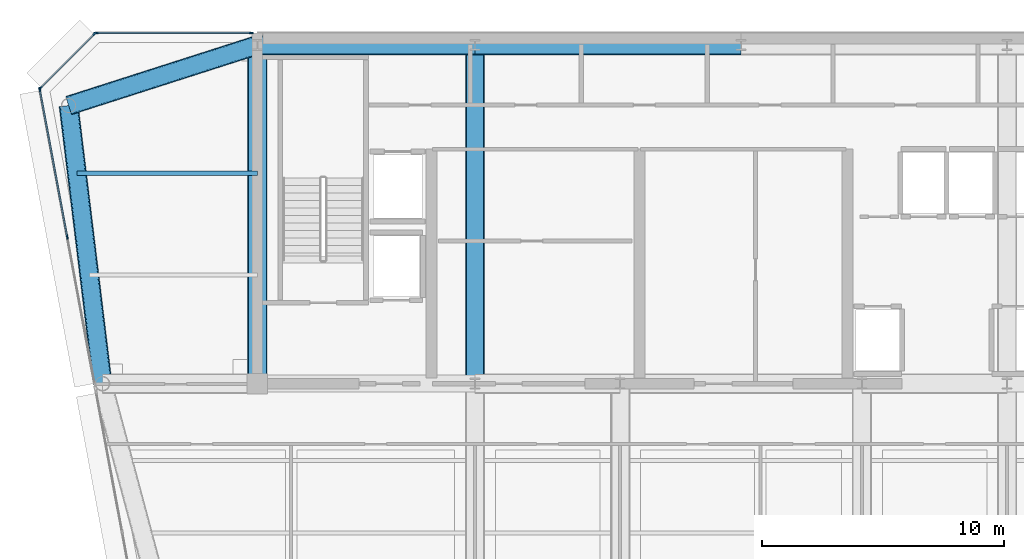
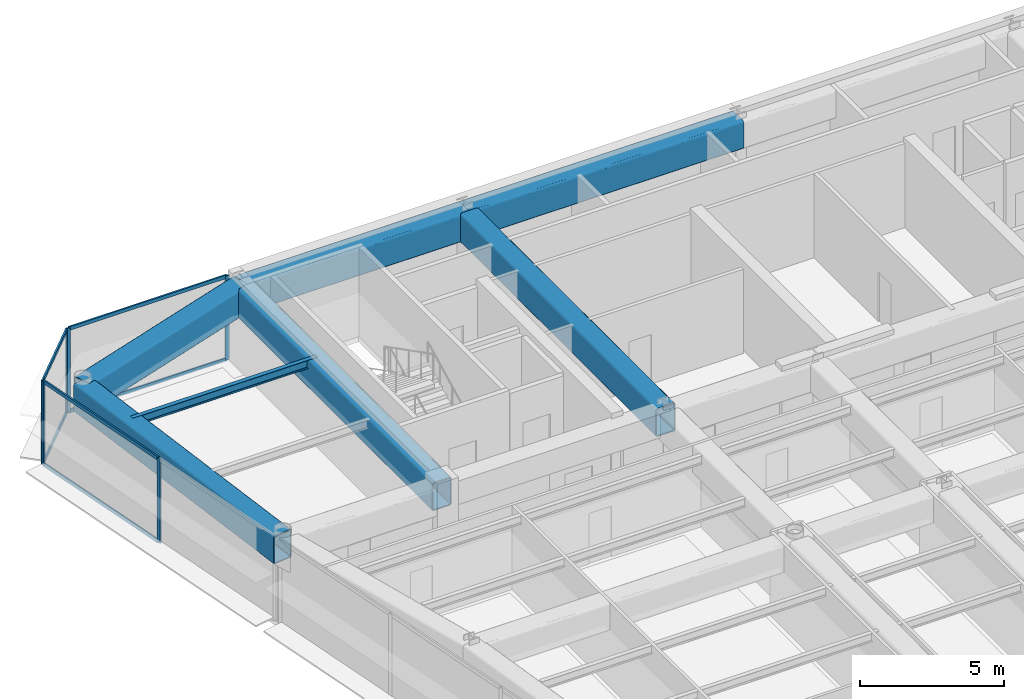
# One storey, part 7 of 18: 12 members, 7 beams, 3 elements without a shape of their own.
"""IFC4 building model written with IfcOpenShell, lengths in metres."""

from ifc_helpers import new_model, si_unit, direction, frame, origin, origin_2d, place, context, subcontext, project, spatial, rectangle, hollow_rectangle, i_section, extrude, source, transform, mapped, material, layer, layer_set, material_profile, profile_set, type_object, element, aggregate, save


model = new_model("IFC4")

# Units and contexts
model_context = context("Model", 3, precision=1e-05, world=origin(), true_north=direction((0.0, 1.0)))
body_context = subcontext(model_context, "Body", "Model", "MODEL_VIEW")
ifc_project = project(units=[si_unit("LENGTHUNIT", "METRE"), si_unit("AREAUNIT", "SQUARE_METRE"), si_unit("VOLUMEUNIT", "CUBIC_METRE"), si_unit("PLANEANGLEUNIT", "RADIAN"), si_unit("MASSUNIT", "GRAM", prefix="KILO")], contexts=[model_context])

# Site, building, storey
site_placement = place(None, origin())
site = spatial("IfcSite", under=ifc_project, at=site_placement, CompositionType="ELEMENT")
building_placement = place(site_placement, origin())
building = spatial("IfcBuilding", under=site, at=building_placement, Name="Vaeldorn Concourse Tower", CompositionType="ELEMENT")
storey_placement = place(building_placement, frame((0.0, 0.0, 265.0)))
storey = spatial("IfcBuildingStorey", under=building, at=storey_placement, Name="L68", CompositionType="ELEMENT", Elevation=265.0)

# Beams
ifc_material_1 = material(Name="Steel S460", Category="steel")
ifc_material_profile_1 = material_profile(ifc_material_1, hollow_rectangle(XDim=0.800048828125, YDim=1.199951171875, WallThickness=0.044921875, InnerFilletRadius=0.044921875, OuterFilletRadius=0.090087890625, at=origin_2d()), Name="RHS 1200x800x45")
ifc_profile_set_1 = profile_set([ifc_material_profile_1], Name="Steel S460")
beam_type_1 = type_object("IfcBeamType", Name="BM-TG-RHS1200", PredefinedType="BEAM", material=ifc_profile_set_1)
shared_shape_1 = source(origin(), body_context, "Body", "SweptSolid", [
    extrude(hollow_rectangle(XDim=0.800048828125, YDim=1.199951171875, WallThickness=0.044921875, InnerFilletRadius=0.044921875, OuterFilletRadius=0.090087890625, at=origin_2d()), origin(), (0.0, 0.0, 1.0), 9.0),
])
beam_1_placement = place(storey_placement, frame((14.0, 50.5, 2.97998046875), z_axis=(1.0, 0.0, 0.0), x_axis=(0.0, 1.0, 0.0)))
element("IfcBeam", 1, at=beam_1_placement, inside=storey, type_object=beam_type_1, Name="Beam BM-L68-C-HC1-C-HC2", PredefinedType="BEAM", context=body_context, shape_type="MappedRepresentation", body=[
    mapped(shared_shape_1, transform((0.0, 0.0, 0.0), scale=1.0)),
])
shared_shape_2 = source(origin(), body_context, "Body", "SweptSolid", [
    extrude(hollow_rectangle(XDim=0.800048828125, YDim=1.199951171875, WallThickness=0.044921875, InnerFilletRadius=0.044921875, OuterFilletRadius=0.090087890625, at=origin_2d()), origin(), (0.0, 0.0, 1.0), 11.0),
])
beam_2_placement = place(storey_placement, frame((23.0, 50.5, 2.97998046875), z_axis=(1.0, 0.0, 0.0), x_axis=(0.0, 1.0, 0.0)))
element("IfcBeam", 2, at=beam_2_placement, inside=storey, type_object=beam_type_1, Name="Beam BM-L68-C-HC2-C-HC3", PredefinedType="BEAM", context=body_context, shape_type="MappedRepresentation", body=[
    mapped(shared_shape_2, transform((0.0, 0.0, 0.0), scale=1.0)),
])
shared_shape_3 = source(origin(), body_context, "Body", "SweptSolid", [
    extrude(hollow_rectangle(XDim=0.800048828125, YDim=1.199951171875, WallThickness=0.044921875, InnerFilletRadius=0.044921875, OuterFilletRadius=0.090087890625, at=origin_2d()), origin(), (0.0, 0.0, 1.0), 14.0),
])
for number, where, z_axis, x_axis, name in (
    (3, (14.0, 36.5, 2.97998046875), (0.0, 1.0, 0.0), (-1.0, 0.0, 0.0), "Beam BM-L68-C-FC1-C-HC1"),
    (4, (23.0, 36.5, 2.97998046875), (0.0, 1.0, 0.0), (-1.0, 0.0, 0.0), "Beam BM-L68-C-FC2-C-HC2"),
):
    element("IfcBeam", number, at=place(storey_placement, frame(where, z_axis=z_axis, x_axis=x_axis)), inside=storey, type_object=beam_type_1, Name=name, PredefinedType="BEAM", context=body_context, shape_type="MappedRepresentation", body=[
        mapped(shared_shape_3, transform((0.0, 0.0, 0.0), scale=1.0)),
    ])
shared_shape_4 = source(origin(), body_context, "Body", "SweptSolid", [
    extrude(hollow_rectangle(XDim=0.800048828125, YDim=1.199951171875, WallThickness=0.044921875, InnerFilletRadius=0.044921875, OuterFilletRadius=0.090087890625, at=origin_2d()), origin(), (0.0, 0.0, 1.0), 8.19091796875),
])
beam_3_placement = place(storey_placement, frame((6.199951171875, 48.0, 2.97998046875), z_axis=(0.952282843383, 0.305216949396, 0.0), x_axis=(-0.305216949396, 0.952282843383, 0.0)))
element("IfcBeam", 5, at=beam_3_placement, inside=storey, type_object=beam_type_1, Name="Beam BM-L68-C-NW1-C-HC1", PredefinedType="BEAM", context=body_context, shape_type="MappedRepresentation", body=[
    mapped(shared_shape_4, transform((0.0, 0.0, 0.0), scale=1.0)),
])
shared_shape_5 = source(origin(), body_context, "Body", "SweptSolid", [
    extrude(hollow_rectangle(XDim=0.800048828125, YDim=1.199951171875, WallThickness=0.044921875, InnerFilletRadius=0.044921875, OuterFilletRadius=0.090087890625, at=origin_2d()), origin(), (0.0, 0.0, 1.0), 11.5849609375),
])
beam_4_placement = place(storey_placement, frame((6.199951171875, 48.0, 2.97998046875), z_axis=(0.120859382899, -0.992669637677, 0.0), x_axis=(0.992669637677, 0.120859382899, 0.0)))
element("IfcBeam", 6, at=beam_4_placement, inside=storey, type_object=beam_type_1, Name="Beam BM-L68-C-NW1-C-NW2", PredefinedType="BEAM", context=body_context, shape_type="MappedRepresentation", body=[
    mapped(shared_shape_5, transform((0.0, 0.0, 0.0), scale=1.0)),
])
ifc_material_2 = material(Name="Steel S355", Category="steel")
ifc_material_profile_2 = material_profile(ifc_material_2, i_section(OverallWidth=0.169921875, OverallDepth=0.360107421875, WebThickness=0.008056640625, FlangeThickness=0.0126953125, FilletRadius=0.01806640625, at=origin_2d()), Name="IPE 360")
ifc_profile_set_2 = profile_set([ifc_material_profile_2], Name="Steel S355")
beam_type_2 = type_object("IfcBeamType", Name="BM-JS-IPE360", PredefinedType="JOIST", material=ifc_profile_set_2)
shared_shape_6 = source(origin(), body_context, "Body", "SweptSolid", [
    extrude(i_section(OverallWidth=0.169921875, OverallDepth=0.360107421875, WebThickness=0.008056640625, FlangeThickness=0.0126953125, FilletRadius=0.01806640625, at=origin_2d()), origin(), (0.0, 0.0, 1.0), 7.458984375),
])
beam_5_placement = place(storey_placement, frame((6.541015625, 45.199951171875, 3.39990234375), z_axis=(1.0, 0.0, 0.0), x_axis=(0.0, 1.0, 0.0)))
element("IfcBeam", 7, at=beam_5_placement, inside=storey, type_object=beam_type_2, Name="Beam JS-L68-NW-452", PredefinedType="JOIST", context=body_context, shape_type="MappedRepresentation", body=[
    mapped(shared_shape_6, transform((0.0, 0.0, 0.0), scale=1.0)),
])

# Curtain wall, members
ifc_material_3 = material(Name="Anodised Bronze Aluminium", Category="aluminium")
ifc_layer = layer(ifc_material_3, 0.179931640625)
ifc_layer_set = layer_set([ifc_layer], Name="Anodised Bronze Aluminium")
curtain_wall_type = type_object("IfcCurtainWallType", Name="CW-SYS-05", PredefinedType="NOTDEFINED", material=ifc_layer_set)
curtain_wall_1_placement = place(storey_placement, origin())
curtain_wall_1 = element("IfcCurtainWall", 8, at=curtain_wall_1_placement, inside=storey, type_object=curtain_wall_type, Name="Unitised Curtain Wall CW-L68-E10-1", PredefinedType="NOTDEFINED")
ifc_material_profile_3 = material_profile(ifc_material_3, rectangle(XDim=0.06494140625, YDim=0.14990234375, at=origin_2d()), Name="CWT 65x150")
ifc_profile_set_3 = profile_set([ifc_material_profile_3], Name="Anodised Bronze Aluminium")
member_type_1 = type_object("IfcMemberType", Name="CWT-BRONZE-150", PredefinedType="USERDEFINED", material=ifc_profile_set_3)
shared_shape_7 = source(origin(), body_context, "Body", "SweptSolid", [
    extrude(rectangle(XDim=0.06494140625, YDim=0.14990234375, at=origin_2d()), origin(), (0.0, 0.0, 1.0), 3.123046875),
])
member_1_placement = place(storey_placement, frame((7.254150390625, 50.9541015625, 0.032470703125), z_axis=(-0.707106781187, -0.707106781187, 0.0), x_axis=(0.707106781187, -0.707106781187, 0.0)))
member_1 = element("IfcMember", 9, at=member_1_placement, type_object=member_type_1, Name="CW-05 transom 1.1", ObjectType="TRANSOM", PredefinedType="USERDEFINED", context=body_context, shape_type="MappedRepresentation", body=[
    mapped(shared_shape_7, transform((0.0, 0.0, 0.0), scale=1.0)),
])
member_2_placement = place(storey_placement, frame((7.254150390625, 50.9541015625, 3.547607421875), z_axis=(-0.707106781187, -0.707106781187, 0.0), x_axis=(0.707106781187, -0.707106781187, 0.0)))
member_2 = element("IfcMember", 10, at=member_2_placement, type_object=member_type_1, Name="CW-05 transom 1.2", ObjectType="TRANSOM", PredefinedType="USERDEFINED", context=body_context, shape_type="MappedRepresentation", body=[
    mapped(shared_shape_7, transform((0.0, 0.0, 0.0), scale=1.0)),
])

curtain_wall_2_placement = place(storey_placement, origin())
curtain_wall_2 = element("IfcCurtainWall", 11, at=curtain_wall_2_placement, inside=storey, type_object=curtain_wall_type, Name="Unitised Curtain Wall CW-L68-E09-2", PredefinedType="NOTDEFINED")
ifc_material_profile_4 = material_profile(ifc_material_3, rectangle(XDim=0.06494140625, YDim=0.169921875, at=origin_2d()), Name="CWM 65x170")
ifc_profile_set_4 = profile_set([ifc_material_profile_4], Name="Anodised Bronze Aluminium")
member_type_2 = type_object("IfcMemberType", Name="CWM-BRONZE-170", PredefinedType="MULLION", material=ifc_profile_set_4)
shared_shape_8 = source(origin(), body_context, "Body", "SweptSolid", [
    extrude(rectangle(XDim=0.06494140625, YDim=0.169921875, at=origin_2d()), origin(), (0.0, 0.0, 1.0), 3.580078125),
])
member_3_placement = place(storey_placement, frame((13.74755859375, 51.0, 0.0), z_axis=(0.0, 0.0, 1.0), x_axis=(0.0, -1.0, 0.0)))
member_3 = element("IfcMember", 12, at=member_3_placement, type_object=member_type_2, Name="CW-05 mullion 1", PredefinedType="MULLION", context=body_context, shape_type="MappedRepresentation", body=[
    mapped(shared_shape_8, transform((0.0, 0.0, 0.0), scale=1.0)),
])
member_4_placement = place(storey_placement, frame((7.33251953125, 51.0, 0.0), z_axis=(0.0, 0.0, 1.0), x_axis=(0.0, -1.0, 0.0)))
member_4 = element("IfcMember", 13, at=member_4_placement, type_object=member_type_2, Name="CW-05 mullion 2", PredefinedType="MULLION", context=body_context, shape_type="MappedRepresentation", body=[
    mapped(shared_shape_8, transform((0.0, 0.0, 0.0), scale=1.0)),
])

# Member
member_5_placement = place(storey_placement, frame((7.277099609375, 50.97705078125, 0.0), z_axis=(0.0, 0.0, 1.0), x_axis=(0.707106781187, -0.707106781187, 0.0)))
member_5 = element("IfcMember", 14, at=member_5_placement, type_object=member_type_2, Name="CW-05 mullion 1", PredefinedType="MULLION", context=body_context, shape_type="MappedRepresentation", body=[
    mapped(shared_shape_8, transform((0.0, 0.0, 0.0), scale=1.0)),
])

member_6_placement = place(storey_placement, frame((5.02294921875, 48.722900390625, 0.0), z_axis=(0.0, 0.0, 1.0), x_axis=(0.707106781187, -0.707106781187, 0.0)))
member_6 = element("IfcMember", 15, at=member_6_placement, type_object=member_type_2, Name="CW-05 mullion 2", PredefinedType="MULLION", context=body_context, shape_type="MappedRepresentation", body=[
    mapped(shared_shape_8, transform((0.0, 0.0, 0.0), scale=1.0)),
])

aggregate(curtain_wall_1, [member_5, member_6, member_1, member_2])

# Curtain wall, members
curtain_wall_3_placement = place(storey_placement, origin())
curtain_wall_3 = element("IfcCurtainWall", 16, at=curtain_wall_3_placement, inside=storey, type_object=curtain_wall_type, Name="Unitised Curtain Wall CW-L68-E11-1", PredefinedType="NOTDEFINED")
member_7_placement = place(storey_placement, frame((5.005859375, 48.66796875, 0.0), z_axis=(0.0, 0.0, 1.0), x_axis=(0.983102768025, 0.183054493257, 0.0)))
member_7 = element("IfcMember", 17, at=member_7_placement, type_object=member_type_2, Name="CW-05 mullion 1", PredefinedType="MULLION", context=body_context, shape_type="MappedRepresentation", body=[
    mapped(shared_shape_8, transform((0.0, 0.0, 0.0), scale=1.0)),
])
member_8_placement = place(storey_placement, frame((6.142578125, 42.564208984375, 0.0), z_axis=(0.0, 0.0, 1.0), x_axis=(0.983102768025, 0.183054493257, 0.0)))
member_8 = element("IfcMember", 18, at=member_8_placement, type_object=member_type_2, Name="CW-05 mullion 2", PredefinedType="MULLION", context=body_context, shape_type="MappedRepresentation", body=[
    mapped(shared_shape_8, transform((0.0, 0.0, 0.0), scale=1.0)),
])
shared_shape_9 = source(origin(), body_context, "Body", "SweptSolid", [
    extrude(rectangle(XDim=0.06494140625, YDim=0.14990234375, at=origin_2d()), origin(), (0.0, 0.0, 1.0), 6.1435546875),
])
member_9_placement = place(storey_placement, frame((5.011962890625, 48.635986328125, 0.032470703125), z_axis=(0.183038328644, -0.983105777751, 0.0), x_axis=(0.983105777751, 0.183038328644, 0.0)))
member_9 = element("IfcMember", 19, at=member_9_placement, type_object=member_type_1, Name="CW-05 transom 1.1", ObjectType="TRANSOM", PredefinedType="USERDEFINED", context=body_context, shape_type="MappedRepresentation", body=[
    mapped(shared_shape_9, transform((0.0, 0.0, 0.0), scale=1.0)),
])
member_10_placement = place(storey_placement, frame((5.011962890625, 48.635986328125, 3.547607421875), z_axis=(0.183038328644, -0.983105777751, 0.0), x_axis=(0.983105777751, 0.183038328644, 0.0)))
member_10 = element("IfcMember", 20, at=member_10_placement, type_object=member_type_1, Name="CW-05 transom 1.2", ObjectType="TRANSOM", PredefinedType="USERDEFINED", context=body_context, shape_type="MappedRepresentation", body=[
    mapped(shared_shape_9, transform((0.0, 0.0, 0.0), scale=1.0)),
])
aggregate(curtain_wall_3, [member_7, member_8, member_9, member_10])

# Member
shared_shape_10 = source(origin(), body_context, "Body", "SweptSolid", [
    extrude(rectangle(XDim=0.06494140625, YDim=0.14990234375, at=origin_2d()), origin(), (0.0, 0.0, 1.0), 6.35009765625),
])
member_11_placement = place(storey_placement, frame((13.715087890625, 51.0, 0.032470703125), z_axis=(-1.0, 0.0, 0.0), x_axis=(0.0, -1.0, 0.0)))
member_11 = element("IfcMember", 21, at=member_11_placement, type_object=member_type_1, Name="CW-05 transom 1.1", ObjectType="TRANSOM", PredefinedType="USERDEFINED", context=body_context, shape_type="MappedRepresentation", body=[
    mapped(shared_shape_10, transform((0.0, 0.0, 0.0), scale=1.0)),
])

member_12_placement = place(storey_placement, frame((13.715087890625, 51.0, 3.547607421875), z_axis=(-1.0, 0.0, 0.0), x_axis=(0.0, -1.0, 0.0)))
member_12 = element("IfcMember", 22, at=member_12_placement, type_object=member_type_1, Name="CW-05 transom 1.2", ObjectType="TRANSOM", PredefinedType="USERDEFINED", context=body_context, shape_type="MappedRepresentation", body=[
    mapped(shared_shape_10, transform((0.0, 0.0, 0.0), scale=1.0)),
])

aggregate(curtain_wall_2, [member_3, member_4, member_11, member_12])

save(model, "model.ifc")
